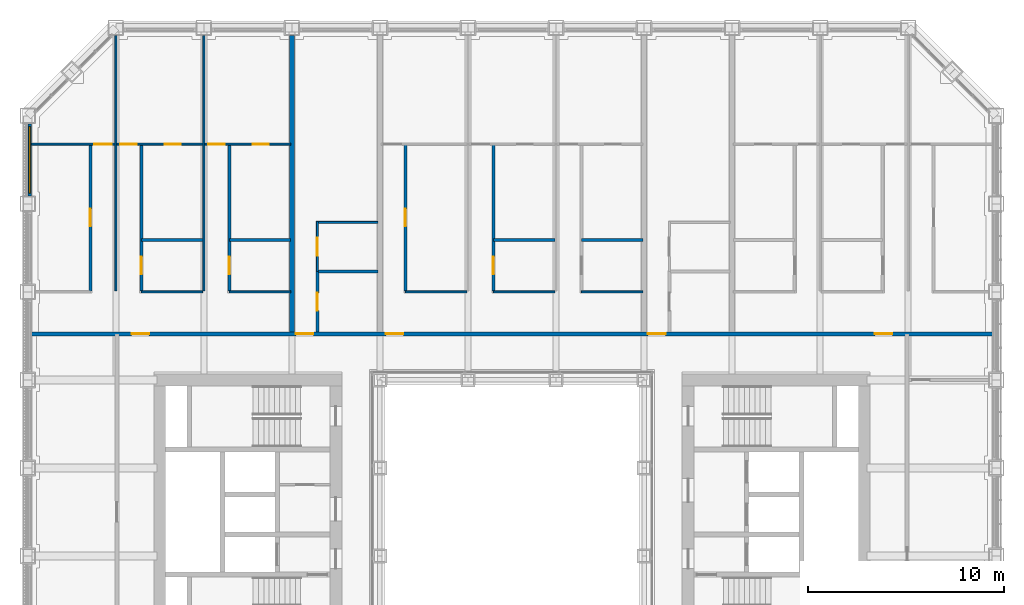
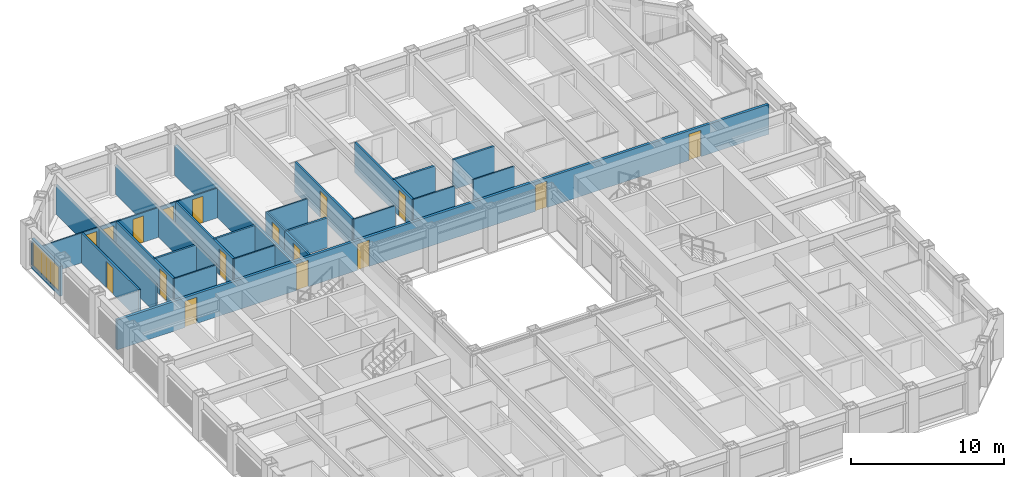
# One storey, part 13 of 20: 26 walls, 17 doors, 1 window, 18 openings.
"""IFC4 building model written with IfcOpenShell, lengths in metres."""

from ifc_helpers import new_model, si_unit, direction, frame, frame_2d, origin, place, context, subcontext, project, spatial, rectangle, extrude, material, layer, layer_set, type_object, element, fill, save


model = new_model("IFC4")

# Units and contexts
model_context = context("Model", 3, precision=1e-05, world=origin(), true_north=direction((0.0, 1.0)))
body_context = subcontext(model_context, "Body", "Model", "MODEL_VIEW")
ifc_project = project(units=[si_unit("LENGTHUNIT", "METRE"), si_unit("AREAUNIT", "SQUARE_METRE"), si_unit("VOLUMEUNIT", "CUBIC_METRE"), si_unit("PLANEANGLEUNIT", "RADIAN"), si_unit("MASSUNIT", "GRAM", prefix="KILO")], contexts=[model_context])

# Site, building, storey
site_placement = place(None, origin())
site = spatial("IfcSite", under=ifc_project, at=site_placement, CompositionType="ELEMENT")
building_placement = place(site_placement, origin())
building = spatial("IfcBuilding", under=site, at=building_placement, Name="Msasa Ring Tower", CompositionType="ELEMENT")
storey_placement = place(building_placement, frame((0.0, 0.0, 65.0)))
storey = spatial("IfcBuildingStorey", under=building, at=storey_placement, Name="L16", CompositionType="ELEMENT", Elevation=65.0)

# Wall, opening, window
ifc_material_1 = material(Name="Terracotta rainscreen on blockwork", Category="masonry")
ifc_layer_1 = layer(ifc_material_1, 0.199951171875)
ifc_layer_set_1 = layer_set([ifc_layer_1], Name="FW1 TERRACOTTA-LINED INFILL BAY WALL 200")
wall_type_1 = type_object("IfcWallType", Name="FW1 TERRACOTTA-LINED INFILL BAY WALL 200", PredefinedType="SOLIDWALL", material=ifc_layer_set_1)
wall_1_placement = place(storey_placement, frame((-24.64990234375, 16.155029296875, 0.0), z_axis=(0.0, 0.0, 1.0), x_axis=(0.0, 1.0, 0.0)))
wall_1 = element("IfcWall", 1, at=wall_1_placement, inside=storey, type_object=wall_type_1, Name="Infill bay wall W L16 41", PredefinedType="SOLIDWALL", context=body_context, shape_type="SweptSolid", body=[
    extrude(rectangle(XDim=3.68994140625, YDim=0.199951171875, at=frame_2d((1.844970703125, 0.0))), origin(), (0.0, 0.0, 1.0), 2.37890625),
])
opening_1_placement = place(wall_1_placement, frame((0.14501953125, 0.0, 0.300048828125)))
opening_1 = element("IfcOpeningElement", 2, at=opening_1_placement, cuts=wall_1, Name="Opening WN1", PredefinedType="OPENING", context=body_context, shape_type="SweptSolid", body=[
    extrude(rectangle(XDim=3.39990234375, YDim=1.928955078125, at=frame_2d((1.699951171875, 0.96435546875))), frame((0.0, 0.10986328125, 0.0), z_axis=(0.0, -1.0, 0.0), x_axis=(1.0, 0.0, 0.0)), (0.0, 0.0, 1.0), 0.219970703125),
])
ifc_material_2 = material(Name="Aluminium frame with clear glass", Category="aluminium")
window_type = type_object("IfcWindowType", Name="WN1 RESIDENCE WINDOW 3400x1929", PartitioningType="SINGLE_PANEL", PredefinedType="WINDOW", material=ifc_material_2)
window_placement = place(opening_1_placement, origin())
window = element("IfcWindow", 3, at=window_placement, inside=storey, type_object=window_type, Name="Window W L16 41", OverallHeight=1.928955078125, OverallWidth=3.39990234375, PartitioningType="SINGLE_PANEL", PredefinedType="WINDOW", context=body_context, shape_type="SweptSolid", body=[
    extrude(rectangle(XDim=3.39990234375, YDim=1.928955078125, at=frame_2d((1.699951171875, 0.96435546875))), frame((0.0, 0.030029296875, 0.0), z_axis=(0.0, -1.0, 0.0), x_axis=(1.0, 0.0, 0.0)), (0.0, 0.0, 1.0), 0.06005859375),
])
fill(opening_1, window)

# Wall, openings, doors
ifc_material_3 = material(Name="Concrete blockwork", Category="masonry")
ifc_layer_2 = layer(ifc_material_3, 0.199951171875)
ifc_layer_set_2 = layer_set([ifc_layer_2], Name="PT1 CORRIDOR WALL 200")
wall_type_2 = type_object("IfcWallType", Name="PT1 CORRIDOR WALL 200", PredefinedType="PARTITIONING", material=ifc_layer_set_2)
wall_2_placement = place(storey_placement, frame((-24.550048828125, 9.10009765625, 0.0), z_axis=(0.0, 0.0, 1.0), x_axis=(1.0, 0.0, 0.0)))
wall_2 = element("IfcWall", 4, at=wall_2_placement, inside=storey, type_object=wall_type_2, Name="Corridor wall L16-CORRN0", PredefinedType="PARTITIONING", context=body_context, shape_type="SweptSolid", body=[
    extrude(rectangle(XDim=49.10009765625, YDim=0.199951171875, at=frame_2d((24.550048828125, 0.0))), origin(), (0.0, 0.0, 1.0), 2.373291015625),
])
opening_2_placement = place(wall_2_placement, frame((5.10009765625, 0.0, 0.0)))
opening_2 = element("IfcOpeningElement", 5, at=opening_2_placement, cuts=wall_2, Name="Opening RD-029", PredefinedType="OPENING", context=body_context, shape_type="SweptSolid", body=[
    extrude(rectangle(XDim=0.89990234375, YDim=2.10009765625, at=frame_2d((0.449951171875, 1.050048828125))), frame((0.0, 0.10986328125, 0.0), z_axis=(0.0, -1.0, 0.0), x_axis=(1.0, 0.0, 0.0)), (0.0, 0.0, 1.0), 0.219970703125),
])
opening_3_placement = place(wall_2_placement, frame((13.5, 0.0, 0.0)))
opening_3 = element("IfcOpeningElement", 6, at=opening_3_placement, cuts=wall_2, Name="Opening RD-030", PredefinedType="OPENING", context=body_context, shape_type="SweptSolid", body=[
    extrude(rectangle(XDim=0.89990234375, YDim=2.10009765625, at=frame_2d((0.449951171875, 1.050048828125))), frame((0.0, 0.10986328125, 0.0), z_axis=(0.0, -1.0, 0.0), x_axis=(1.0, 0.0, 0.0)), (0.0, 0.0, 1.0), 0.219970703125),
])
opening_4_placement = place(wall_2_placement, frame((18.10009765625, 0.0, 0.0)))
opening_4 = element("IfcOpeningElement", 7, at=opening_4_placement, cuts=wall_2, Name="Opening RD-031", PredefinedType="OPENING", context=body_context, shape_type="SweptSolid", body=[
    extrude(rectangle(XDim=0.89990234375, YDim=2.10009765625, at=frame_2d((0.449951171875, 1.050048828125))), frame((0.0, 0.10986328125, 0.0), z_axis=(0.0, -1.0, 0.0), x_axis=(1.0, 0.0, 0.0)), (0.0, 0.0, 1.0), 0.219970703125),
])
opening_5_placement = place(wall_2_placement, frame((31.5, 0.0, 0.0)))
opening_5 = element("IfcOpeningElement", 8, at=opening_5_placement, cuts=wall_2, Name="Opening RD-032", PredefinedType="OPENING", context=body_context, shape_type="SweptSolid", body=[
    extrude(rectangle(XDim=0.89990234375, YDim=2.10009765625, at=frame_2d((0.449951171875, 1.050048828125))), frame((0.0, 0.10986328125, 0.0), z_axis=(0.0, -1.0, 0.0), x_axis=(1.0, 0.0, 0.0)), (0.0, 0.0, 1.0), 0.219970703125),
])
opening_6_placement = place(wall_2_placement, frame((43.10009765625, 0.0, 0.0)))
opening_6 = element("IfcOpeningElement", 9, at=opening_6_placement, cuts=wall_2, Name="Opening RD-033", PredefinedType="OPENING", context=body_context, shape_type="SweptSolid", body=[
    extrude(rectangle(XDim=0.89990234375, YDim=2.10009765625, at=frame_2d((0.449951171875, 1.050048828125))), frame((0.0, 0.10986328125, 0.0), z_axis=(0.0, -1.0, 0.0), x_axis=(1.0, 0.0, 0.0)), (0.0, 0.0, 1.0), 0.219970703125),
])
ifc_material_4 = material(Name="Timber door leaf in a steel frame", Category="steel")
door_type_1 = type_object("IfcDoorType", Name="D2 ENTRANCE DOOR 900x2100", OperationType="SINGLE_SWING_LEFT", PredefinedType="DOOR", material=ifc_material_4)
door_1_placement = place(opening_2_placement, origin())
door_1 = element("IfcDoor", 10, at=door_1_placement, inside=storey, type_object=door_type_1, Name="Door L16-UN00", OperationType="SINGLE_SWING_LEFT", OverallHeight=2.10009765625, OverallWidth=0.89990234375, PredefinedType="DOOR", context=body_context, shape_type="SweptSolid", body=[
    extrude(rectangle(XDim=0.89990234375, YDim=2.10009765625, at=frame_2d((0.449951171875, 1.050048828125))), frame((0.0, 0.02490234375, 0.0), z_axis=(0.0, -1.0, 0.0), x_axis=(1.0, 0.0, 0.0)), (0.0, 0.0, 1.0), 0.050048828125),
])
fill(opening_2, door_1)
door_2_placement = place(opening_3_placement, origin())
door_2 = element("IfcDoor", 11, at=door_2_placement, inside=storey, type_object=door_type_1, Name="Door L16-UN01", OperationType="SINGLE_SWING_LEFT", OverallHeight=2.10009765625, OverallWidth=0.89990234375, PredefinedType="DOOR", context=body_context, shape_type="SweptSolid", body=[
    extrude(rectangle(XDim=0.89990234375, YDim=2.10009765625, at=frame_2d((0.449951171875, 1.050048828125))), frame((0.0, 0.02490234375, 0.0), z_axis=(0.0, -1.0, 0.0), x_axis=(1.0, 0.0, 0.0)), (0.0, 0.0, 1.0), 0.050048828125),
])
fill(opening_3, door_2)
door_3_placement = place(opening_4_placement, origin())
door_3 = element("IfcDoor", 12, at=door_3_placement, inside=storey, type_object=door_type_1, Name="Door L16-UN02", OperationType="SINGLE_SWING_LEFT", OverallHeight=2.10009765625, OverallWidth=0.89990234375, PredefinedType="DOOR", context=body_context, shape_type="SweptSolid", body=[
    extrude(rectangle(XDim=0.89990234375, YDim=2.10009765625, at=frame_2d((0.449951171875, 1.050048828125))), frame((0.0, 0.02490234375, 0.0), z_axis=(0.0, -1.0, 0.0), x_axis=(1.0, 0.0, 0.0)), (0.0, 0.0, 1.0), 0.050048828125),
])
fill(opening_4, door_3)
door_4_placement = place(opening_5_placement, origin())
door_4 = element("IfcDoor", 13, at=door_4_placement, inside=storey, type_object=door_type_1, Name="Door L16-UN03", OperationType="SINGLE_SWING_RIGHT", OverallHeight=2.10009765625, OverallWidth=0.89990234375, PredefinedType="DOOR", context=body_context, shape_type="SweptSolid", body=[
    extrude(rectangle(XDim=0.89990234375, YDim=2.10009765625, at=frame_2d((0.449951171875, 1.050048828125))), frame((0.0, 0.02490234375, 0.0), z_axis=(0.0, -1.0, 0.0), x_axis=(1.0, 0.0, 0.0)), (0.0, 0.0, 1.0), 0.050048828125),
])
fill(opening_5, door_4)
door_5_placement = place(opening_6_placement, origin())
door_5 = element("IfcDoor", 14, at=door_5_placement, inside=storey, type_object=door_type_1, Name="Door L16-UN04", OperationType="SINGLE_SWING_RIGHT", OverallHeight=2.10009765625, OverallWidth=0.89990234375, PredefinedType="DOOR", context=body_context, shape_type="SweptSolid", body=[
    extrude(rectangle(XDim=0.89990234375, YDim=2.10009765625, at=frame_2d((0.449951171875, 1.050048828125))), frame((0.0, 0.02490234375, 0.0), z_axis=(0.0, -1.0, 0.0), x_axis=(1.0, 0.0, 0.0)), (0.0, 0.0, 1.0), 0.050048828125),
])
fill(opening_6, door_5)

# Wall, opening, door
ifc_material_5 = material(Name="Gypsum board on steel studs", Category="steel")
ifc_layer_3 = layer(ifc_material_5, 0.10009765625)
ifc_layer_set_3 = layer_set([ifc_layer_3], Name="PT2 STUD PARTITION 100")
wall_type_3 = type_object("IfcWallType", Name="PT2 STUD PARTITION 100", PredefinedType="PARTITIONING", material=ifc_layer_set_3)
wall_3_placement = place(storey_placement, frame((-24.550048828125, 18.800048828125, 0.0), z_axis=(0.0, 0.0, 1.0), x_axis=(1.0, 0.0, 0.0)))
wall_3 = element("IfcWall", 15, at=wall_3_placement, inside=storey, type_object=wall_type_3, Name="Partition L16-UN00SY0", PredefinedType="PARTITIONING", context=body_context, shape_type="SweptSolid", body=[
    extrude(rectangle(XDim=4.25, YDim=0.10009765625, at=frame_2d((2.125, 0.0))), origin(), (0.0, 0.0, 1.0), 2.373291015625),
])
opening_7_placement = place(wall_3_placement, frame((3.199951171875, 0.0, 0.0)))
opening_7 = element("IfcOpeningElement", 16, at=opening_7_placement, cuts=wall_3, Name="Opening RD-001", PredefinedType="OPENING", context=body_context, shape_type="SweptSolid", body=[
    extrude(rectangle(XDim=0.89990234375, YDim=2.10009765625, at=frame_2d((0.449951171875, 1.050048828125))), frame((0.0, 0.06005859375, 0.0), z_axis=(0.0, -1.0, 0.0), x_axis=(1.0, 0.0, 0.0)), (0.0, 0.0, 1.0), 0.1201171875),
])
ifc_material_6 = material(Name="Timber door leaf in a steel frame", Category="steel")
door_type_2 = type_object("IfcDoorType", Name="D22 INTERNAL HALL DOOR 900x2100", OperationType="SINGLE_SWING_LEFT", PredefinedType="DOOR", material=ifc_material_6)
door_6_placement = place(opening_7_placement, origin())
door_6 = element("IfcDoor", 17, at=door_6_placement, inside=storey, type_object=door_type_2, Name="Door L16-UN00L", OperationType="SINGLE_SWING_RIGHT", OverallHeight=2.10009765625, OverallWidth=0.89990234375, PredefinedType="DOOR", context=body_context, shape_type="SweptSolid", body=[
    extrude(rectangle(XDim=0.89990234375, YDim=2.10009765625, at=frame_2d((0.449951171875, 1.050048828125))), frame((0.0, 0.02490234375, 0.0), z_axis=(0.0, -1.0, 0.0), x_axis=(1.0, 0.0, 0.0)), (0.0, 0.0, 1.0), 0.050048828125),
])
fill(opening_7, door_6)

# Walls
wall_4_placement = place(storey_placement, frame((-20.25, 11.300048828125, 0.0), z_axis=(0.0, 0.0, 1.0), x_axis=(0.0, 1.0, 0.0)))
element("IfcWall", 18, at=wall_4_placement, inside=storey, type_object=wall_type_3, Name="Partition L16-UN00P1", PredefinedType="PARTITIONING", context=body_context, shape_type="SweptSolid", body=[
    extrude(rectangle(XDim=13.050048828125, YDim=0.10009765625, at=frame_2d((6.52490234375, 0.0))), origin(), (0.0, 0.0, 1.0), 2.373291015625),
])
wall_5_placement = place(storey_placement, frame((-18.949951171875, 11.25, 0.0), z_axis=(0.0, 0.0, 1.0), x_axis=(1.0, 0.0, 0.0)))
element("IfcWall", 19, at=wall_5_placement, inside=storey, type_object=wall_type_3, Name="Partition L16-UN00HY1", PredefinedType="PARTITIONING", context=body_context, shape_type="SweptSolid", body=[
    extrude(rectangle(XDim=3.139892578125, YDim=0.10009765625, at=frame_2d((1.56982421875, 0.0))), origin(), (0.0, 0.0, 1.0), 2.373291015625),
])

# Wall, openings, doors
wall_6_placement = place(storey_placement, frame((-20.199951171875, 18.800048828125, 0.0), z_axis=(0.0, 0.0, 1.0), x_axis=(1.0, 0.0, 0.0)))
wall_6 = element("IfcWall", 20, at=wall_6_placement, inside=storey, type_object=wall_type_3, Name="Partition L16-UN00SY1", PredefinedType="PARTITIONING", context=body_context, shape_type="SweptSolid", body=[
    extrude(rectangle(XDim=4.39990234375, YDim=0.10009765625, at=frame_2d((2.199951171875, 0.0))), origin(), (0.0, 0.0, 1.0), 2.373291015625),
])
opening_8_placement = place(wall_6_placement, frame((0.175048828125, 0.0, 0.0)))
opening_8 = element("IfcOpeningElement", 21, at=opening_8_placement, cuts=wall_6, Name="Opening RD-002", PredefinedType="OPENING", context=body_context, shape_type="SweptSolid", body=[
    extrude(rectangle(XDim=0.85009765625, YDim=2.10009765625, at=frame_2d((0.425048828125, 1.050048828125))), frame((0.0, 0.06005859375, 0.0), z_axis=(0.0, -1.0, 0.0), x_axis=(1.0, 0.0, 0.0)), (0.0, 0.0, 1.0), 0.1201171875),
])
opening_9_placement = place(wall_6_placement, frame((2.4599609375, 0.0, 0.0)))
opening_9 = element("IfcOpeningElement", 22, at=opening_9_placement, cuts=wall_6, Name="Opening RD-003", PredefinedType="OPENING", context=body_context, shape_type="SweptSolid", body=[
    extrude(rectangle(XDim=0.800048828125, YDim=2.10009765625, at=frame_2d((0.39990234375, 1.050048828125))), frame((0.0, 0.06005859375, 0.0), z_axis=(0.0, -1.0, 0.0), x_axis=(1.0, 0.0, 0.0)), (0.0, 0.0, 1.0), 0.1201171875),
])
ifc_material_7 = material(Name="Timber door leaf in a steel frame", Category="steel")
door_type_3 = type_object("IfcDoorType", Name="D14 BEDROOM DOOR 850x2100", OperationType="SINGLE_SWING_LEFT", PredefinedType="DOOR", material=ifc_material_7)
door_7_placement = place(opening_8_placement, origin())
door_7 = element("IfcDoor", 23, at=door_7_placement, inside=storey, type_object=door_type_3, Name="Door L16-UN00R1", OperationType="SINGLE_SWING_LEFT", OverallHeight=2.10009765625, OverallWidth=0.85009765625, PredefinedType="DOOR", context=body_context, shape_type="SweptSolid", body=[
    extrude(rectangle(XDim=0.85009765625, YDim=2.10009765625, at=frame_2d((0.425048828125, 1.050048828125))), frame((0.0, 0.02490234375, 0.0), z_axis=(0.0, -1.0, 0.0), x_axis=(1.0, 0.0, 0.0)), (0.0, 0.0, 1.0), 0.050048828125),
])
fill(opening_8, door_7)
ifc_material_8 = material(Name="Timber door leaf in a steel frame", Category="steel")
door_type_4 = type_object("IfcDoorType", Name="D60 DRESSING ROOM DOOR 800x2100", OperationType="SINGLE_SWING_LEFT", PredefinedType="DOOR", material=ifc_material_8)
door_8_placement = place(opening_9_placement, origin())
door_8 = element("IfcDoor", 24, at=door_8_placement, inside=storey, type_object=door_type_4, Name="Door L16-UN00W1", OperationType="SINGLE_SWING_RIGHT", OverallHeight=2.10009765625, OverallWidth=0.800048828125, PredefinedType="DOOR", context=body_context, shape_type="SweptSolid", body=[
    extrude(rectangle(XDim=0.800048828125, YDim=2.10009765625, at=frame_2d((0.39990234375, 1.050048828125))), frame((0.0, 0.02490234375, 0.0), z_axis=(0.0, -1.0, 0.0), x_axis=(1.0, 0.0, 0.0)), (0.0, 0.0, 1.0), 0.050048828125),
])
fill(opening_9, door_8)

# Walls
wall_7_placement = place(storey_placement, frame((-15.75, 11.300048828125, 0.0), z_axis=(0.0, 0.0, 1.0), x_axis=(0.0, 1.0, 0.0)))
element("IfcWall", 25, at=wall_7_placement, inside=storey, type_object=wall_type_3, Name="Partition L16-UN00P2", PredefinedType="PARTITIONING", context=body_context, shape_type="SweptSolid", body=[
    extrude(rectangle(XDim=13.050048828125, YDim=0.10009765625, at=frame_2d((6.52490234375, 0.0))), origin(), (0.0, 0.0, 1.0), 2.373291015625),
])
wall_8_placement = place(storey_placement, frame((-14.449951171875, 11.25, 0.0), z_axis=(0.0, 0.0, 1.0), x_axis=(1.0, 0.0, 0.0)))
element("IfcWall", 26, at=wall_8_placement, inside=storey, type_object=wall_type_3, Name="Partition L16-UN00HY2", PredefinedType="PARTITIONING", context=body_context, shape_type="SweptSolid", body=[
    extrude(rectangle(XDim=3.139892578125, YDim=0.10009765625, at=frame_2d((1.56982421875, 0.0))), origin(), (0.0, 0.0, 1.0), 2.373291015625),
])

# Wall, openings, doors
wall_9_placement = place(storey_placement, frame((-15.699951171875, 18.800048828125, 0.0), z_axis=(0.0, 0.0, 1.0), x_axis=(1.0, 0.0, 0.0)))
wall_9 = element("IfcWall", 27, at=wall_9_placement, inside=storey, type_object=wall_type_3, Name="Partition L16-UN00SY2", PredefinedType="PARTITIONING", context=body_context, shape_type="SweptSolid", body=[
    extrude(rectangle(XDim=4.389892578125, YDim=0.10009765625, at=frame_2d((2.19482421875, 0.0))), origin(), (0.0, 0.0, 1.0), 2.373291015625),
])
opening_10_placement = place(wall_9_placement, frame((0.175048828125, 0.0, 0.0)))
opening_10 = element("IfcOpeningElement", 28, at=opening_10_placement, cuts=wall_9, Name="Opening RD-004", PredefinedType="OPENING", context=body_context, shape_type="SweptSolid", body=[
    extrude(rectangle(XDim=0.85009765625, YDim=2.10009765625, at=frame_2d((0.425048828125, 1.050048828125))), frame((0.0, 0.06005859375, 0.0), z_axis=(0.0, -1.0, 0.0), x_axis=(1.0, 0.0, 0.0)), (0.0, 0.0, 1.0), 0.1201171875),
])
opening_11_placement = place(wall_9_placement, frame((2.4599609375, 0.0, 0.0)))
opening_11 = element("IfcOpeningElement", 29, at=opening_11_placement, cuts=wall_9, Name="Opening RD-005", PredefinedType="OPENING", context=body_context, shape_type="SweptSolid", body=[
    extrude(rectangle(XDim=0.800048828125, YDim=2.10009765625, at=frame_2d((0.39990234375, 1.050048828125))), frame((0.0, 0.06005859375, 0.0), z_axis=(0.0, -1.0, 0.0), x_axis=(1.0, 0.0, 0.0)), (0.0, 0.0, 1.0), 0.1201171875),
])
door_9_placement = place(opening_10_placement, origin())
door_9 = element("IfcDoor", 30, at=door_9_placement, inside=storey, type_object=door_type_3, Name="Door L16-UN00R2", OperationType="SINGLE_SWING_LEFT", OverallHeight=2.10009765625, OverallWidth=0.85009765625, PredefinedType="DOOR", context=body_context, shape_type="SweptSolid", body=[
    extrude(rectangle(XDim=0.85009765625, YDim=2.10009765625, at=frame_2d((0.425048828125, 1.050048828125))), frame((0.0, 0.02490234375, 0.0), z_axis=(0.0, -1.0, 0.0), x_axis=(1.0, 0.0, 0.0)), (0.0, 0.0, 1.0), 0.050048828125),
])
fill(opening_10, door_9)
door_10_placement = place(opening_11_placement, origin())
door_10 = element("IfcDoor", 31, at=door_10_placement, inside=storey, type_object=door_type_4, Name="Door L16-UN00W2", OperationType="SINGLE_SWING_RIGHT", OverallHeight=2.10009765625, OverallWidth=0.800048828125, PredefinedType="DOOR", context=body_context, shape_type="SweptSolid", body=[
    extrude(rectangle(XDim=0.800048828125, YDim=2.10009765625, at=frame_2d((0.39990234375, 1.050048828125))), frame((0.0, 0.02490234375, 0.0), z_axis=(0.0, -1.0, 0.0), x_axis=(1.0, 0.0, 0.0)), (0.0, 0.0, 1.0), 0.050048828125),
])
fill(opening_11, door_10)

# Wall
wall_10_placement = place(storey_placement, frame((-9.89990234375, 14.800048828125, 0.0), z_axis=(0.0, 0.0, 1.0), x_axis=(1.0, 0.0, 0.0)))
element("IfcWall", 32, at=wall_10_placement, inside=storey, type_object=wall_type_3, Name="Partition L16-UN01KY", PredefinedType="PARTITIONING", context=body_context, shape_type="SweptSolid", body=[
    extrude(rectangle(XDim=3.0498046875, YDim=0.10009765625, at=frame_2d((1.52490234375, 0.0))), origin(), (0.0, 0.0, 1.0), 2.373291015625),
])

# Wall, opening, door
wall_11_placement = place(storey_placement, frame((-9.949951171875, 12.300048828125, 0.0), z_axis=(0.0, 0.0, 1.0), x_axis=(0.0, 1.0, 0.0)))
wall_11 = element("IfcWall", 33, at=wall_11_placement, inside=storey, type_object=wall_type_3, Name="Partition L16-UN01KX", PredefinedType="PARTITIONING", context=body_context, shape_type="SweptSolid", body=[
    extrude(rectangle(XDim=2.550048828125, YDim=0.10009765625, at=frame_2d((1.27490234375, 0.0))), origin(), (0.0, 0.0, 1.0), 2.373291015625),
])
opening_12_placement = place(wall_11_placement, frame((0.81005859375, 0.0, 0.0)))
opening_12 = element("IfcOpeningElement", 34, at=opening_12_placement, cuts=wall_11, Name="Opening RD-019", PredefinedType="OPENING", context=body_context, shape_type="SweptSolid", body=[
    extrude(rectangle(XDim=0.89990234375, YDim=2.10009765625, at=frame_2d((0.449951171875, 1.050048828125))), frame((0.0, 0.06005859375, 0.0), z_axis=(0.0, -1.0, 0.0), x_axis=(1.0, 0.0, 0.0)), (0.0, 0.0, 1.0), 0.1201171875),
])
door_11_placement = place(opening_12_placement, origin())
door_11 = element("IfcDoor", 35, at=door_11_placement, inside=storey, type_object=door_type_2, Name="Door L16-UN01K", OperationType="SINGLE_SWING_LEFT", OverallHeight=2.10009765625, OverallWidth=0.89990234375, PredefinedType="DOOR", context=body_context, shape_type="SweptSolid", body=[
    extrude(rectangle(XDim=0.89990234375, YDim=2.10009765625, at=frame_2d((0.449951171875, 1.050048828125))), frame((0.0, 0.02490234375, 0.0), z_axis=(0.0, -1.0, 0.0), x_axis=(1.0, 0.0, 0.0)), (0.0, 0.0, 1.0), 0.050048828125),
])
fill(opening_12, door_11)

# Walls
for number, where, z_axis, x_axis, name in (
    (36, (-5.449951171875, 11.25, 0.0), (0.0, 0.0, 1.0), (1.0, 0.0, 0.0), "Partition L16-UN02HY0"),
    (37, (-0.949951171875, 11.25, 0.0), (0.0, 0.0, 1.0), (1.0, 0.0, 0.0), "Partition L16-UN02HY1"),
    (38, (3.550048828125, 11.25, 0.0), (0.0, 0.0, 1.0), (1.0, 0.0, 0.0), "Partition L16-UN02HY2"),
):
    element("IfcWall", number, at=place(storey_placement, frame(where, z_axis=z_axis, x_axis=x_axis)), inside=storey, type_object=wall_type_3, Name=name, PredefinedType="PARTITIONING", context=body_context, shape_type="SweptSolid", body=[
        extrude(rectangle(XDim=3.139892578125, YDim=0.10009765625, at=frame_2d((1.56982421875, 0.0))), origin(), (0.0, 0.0, 1.0), 2.373291015625),
    ])
ifc_material_9 = material(Name="Dense concrete blockwork, plastered both faces", Category="masonry")
ifc_layer_4 = layer(ifc_material_9, 0.25)
ifc_layer_set_4 = layer_set([ifc_layer_4], Name="PT3 APARTMENT SEPARATING WALL 250")
wall_type_4 = type_object("IfcWallType", Name="PT3 APARTMENT SEPARATING WALL 250", PredefinedType="PARTITIONING", material=ifc_layer_set_4)
wall_12_placement = place(storey_placement, frame((-11.25, 9.199951171875, 0.0), z_axis=(0.0, 0.0, 1.0), x_axis=(0.0, 1.0, 0.0)))
element("IfcWall", 39, at=wall_12_placement, inside=storey, type_object=wall_type_4, Name="Party wall L16-PWN-11.25", PredefinedType="PARTITIONING", context=body_context, shape_type="SweptSolid", body=[
    extrude(rectangle(XDim=15.150146484375, YDim=0.25, at=frame_2d((7.5751953125, 0.0))), origin(), (0.0, 0.0, 1.0), 2.373291015625),
])

# Wall, opening, door
ifc_material_10 = material(Name="Moisture-resistant board on steel studs with a concealed cistern and pipe void, tiled", Category="steel")
ifc_layer_5 = layer(ifc_material_10, 0.14990234375)
ifc_layer_set_5 = layer_set([ifc_layer_5], Name="PT4 BATHROOM WET WALL 150")
wall_type_5 = type_object("IfcWallType", Name="PT4 BATHROOM WET WALL 150", PredefinedType="PARTITIONING", material=ifc_layer_set_5)
wall_13_placement = place(storey_placement, frame((-21.550048828125, 11.300048828125, 0.0), z_axis=(0.0, 0.0, 1.0), x_axis=(0.0, 1.0, 0.0)))
wall_13 = element("IfcWall", 40, at=wall_13_placement, inside=storey, type_object=wall_type_5, Name="Partition L16-UN00SX0", PredefinedType="PARTITIONING", context=body_context, shape_type="SweptSolid", body=[
    extrude(rectangle(XDim=7.5, YDim=0.14990234375, at=frame_2d((3.75, 0.0))), origin(), (0.0, 0.0, 1.0), 2.373291015625),
])
opening_13_placement = place(wall_13_placement, frame((3.300048828125, 0.0, 0.0)))
opening_13 = element("IfcOpeningElement", 41, at=opening_13_placement, cuts=wall_13, Name="Opening RD-016", PredefinedType="OPENING", context=body_context, shape_type="SweptSolid", body=[
    extrude(rectangle(XDim=0.89990234375, YDim=2.10009765625, at=frame_2d((0.449951171875, 1.050048828125))), frame((0.0, 0.0849609375, 0.0), z_axis=(0.0, -1.0, 0.0), x_axis=(1.0, 0.0, 0.0)), (0.0, 0.0, 1.0), 0.169921875),
])
door_12_placement = place(opening_13_placement, origin())
door_12 = element("IfcDoor", 42, at=door_12_placement, inside=storey, type_object=door_type_2, Name="Door L16-UN00K", OperationType="SINGLE_SWING_LEFT", OverallHeight=2.10009765625, OverallWidth=0.89990234375, PredefinedType="DOOR", context=body_context, shape_type="SweptSolid", body=[
    extrude(rectangle(XDim=0.89990234375, YDim=2.10009765625, at=frame_2d((0.449951171875, 1.050048828125))), frame((0.0, 0.02490234375, 0.0), z_axis=(0.0, -1.0, 0.0), x_axis=(1.0, 0.0, 0.0)), (0.0, 0.0, 1.0), 0.050048828125),
])
fill(opening_13, door_12)

wall_14_placement = place(storey_placement, frame((-18.949951171875, 11.300048828125, 0.0), z_axis=(0.0, 0.0, 1.0), x_axis=(0.0, 1.0, 0.0)))
wall_14 = element("IfcWall", 43, at=wall_14_placement, inside=storey, type_object=wall_type_5, Name="Partition L16-UN00SX1", PredefinedType="PARTITIONING", context=body_context, shape_type="SweptSolid", body=[
    extrude(rectangle(XDim=7.5, YDim=0.14990234375, at=frame_2d((3.75, 0.0))), origin(), (0.0, 0.0, 1.0), 2.373291015625),
])
opening_14_placement = place(wall_14_placement, frame((0.85009765625, 0.0, 0.0)))
opening_14 = element("IfcOpeningElement", 44, at=opening_14_placement, cuts=wall_14, Name="Opening RD-021", PredefinedType="OPENING", context=body_context, shape_type="SweptSolid", body=[
    extrude(rectangle(XDim=0.89990234375, YDim=2.10009765625, at=frame_2d((0.449951171875, 1.050048828125))), frame((0.0, 0.0849609375, 0.0), z_axis=(0.0, -1.0, 0.0), x_axis=(1.0, 0.0, 0.0)), (0.0, 0.0, 1.0), 0.169921875),
])
ifc_material_11 = material(Name="Timber door leaf in a steel frame", Category="steel")
door_type_5 = type_object("IfcDoorType", Name="D3 BATHROOM DOOR 900x2100", OperationType="SINGLE_SWING_LEFT", PredefinedType="DOOR", material=ifc_material_11)
door_13_placement = place(opening_14_placement, origin())
door_13 = element("IfcDoor", 45, at=door_13_placement, inside=storey, type_object=door_type_5, Name="Door L16-UN00B1", OperationType="SINGLE_SWING_LEFT", OverallHeight=2.10009765625, OverallWidth=0.89990234375, PredefinedType="DOOR", context=body_context, shape_type="SweptSolid", body=[
    extrude(rectangle(XDim=0.89990234375, YDim=2.10009765625, at=frame_2d((0.449951171875, 1.050048828125))), frame((0.0, 0.02490234375, 0.0), z_axis=(0.0, -1.0, 0.0), x_axis=(1.0, 0.0, 0.0)), (0.0, 0.0, 1.0), 0.050048828125),
])
fill(opening_14, door_13)

# Wall
wall_15_placement = place(storey_placement, frame((-18.949951171875, 13.89990234375, 0.0), z_axis=(0.0, 0.0, 1.0), x_axis=(1.0, 0.0, 0.0)))
element("IfcWall", 46, at=wall_15_placement, inside=storey, type_object=wall_type_5, Name="Partition L16-UN00SB1", PredefinedType="PARTITIONING", context=body_context, shape_type="SweptSolid", body=[
    extrude(rectangle(XDim=3.14990234375, YDim=0.14990234375, at=frame_2d((1.574951171875, 0.0))), origin(), (0.0, 0.0, 1.0), 2.373291015625),
])

# Wall, opening, door
wall_16_placement = place(storey_placement, frame((-14.449951171875, 11.300048828125, 0.0), z_axis=(0.0, 0.0, 1.0), x_axis=(0.0, 1.0, 0.0)))
wall_16 = element("IfcWall", 47, at=wall_16_placement, inside=storey, type_object=wall_type_5, Name="Partition L16-UN00SX2", PredefinedType="PARTITIONING", context=body_context, shape_type="SweptSolid", body=[
    extrude(rectangle(XDim=7.5, YDim=0.14990234375, at=frame_2d((3.75, 0.0))), origin(), (0.0, 0.0, 1.0), 2.373291015625),
])
opening_15_placement = place(wall_16_placement, frame((0.85009765625, 0.0, 0.0)))
opening_15 = element("IfcOpeningElement", 48, at=opening_15_placement, cuts=wall_16, Name="Opening RD-022", PredefinedType="OPENING", context=body_context, shape_type="SweptSolid", body=[
    extrude(rectangle(XDim=0.89990234375, YDim=2.10009765625, at=frame_2d((0.449951171875, 1.050048828125))), frame((0.0, 0.0849609375, 0.0), z_axis=(0.0, -1.0, 0.0), x_axis=(1.0, 0.0, 0.0)), (0.0, 0.0, 1.0), 0.169921875),
])
door_14_placement = place(opening_15_placement, origin())
door_14 = element("IfcDoor", 49, at=door_14_placement, inside=storey, type_object=door_type_5, Name="Door L16-UN00B2", OperationType="SINGLE_SWING_LEFT", OverallHeight=2.10009765625, OverallWidth=0.89990234375, PredefinedType="DOOR", context=body_context, shape_type="SweptSolid", body=[
    extrude(rectangle(XDim=0.89990234375, YDim=2.10009765625, at=frame_2d((0.449951171875, 1.050048828125))), frame((0.0, 0.02490234375, 0.0), z_axis=(0.0, -1.0, 0.0), x_axis=(1.0, 0.0, 0.0)), (0.0, 0.0, 1.0), 0.050048828125),
])
fill(opening_15, door_14)

# Wall
wall_17_placement = place(storey_placement, frame((-14.449951171875, 13.89990234375, 0.0), z_axis=(0.0, 0.0, 1.0), x_axis=(1.0, 0.0, 0.0)))
element("IfcWall", 50, at=wall_17_placement, inside=storey, type_object=wall_type_5, Name="Partition L16-UN00SB2", PredefinedType="PARTITIONING", context=body_context, shape_type="SweptSolid", body=[
    extrude(rectangle(XDim=3.139892578125, YDim=0.14990234375, at=frame_2d((1.56982421875, 0.0))), origin(), (0.0, 0.0, 1.0), 2.373291015625),
])

# Wall, opening, door
wall_18_placement = place(storey_placement, frame((-9.949951171875, 9.199951171875, 0.0), z_axis=(0.0, 0.0, 1.0), x_axis=(0.0, 1.0, 0.0)))
wall_18 = element("IfcWall", 51, at=wall_18_placement, inside=storey, type_object=wall_type_5, Name="Partition L16-UN01BX", PredefinedType="PARTITIONING", context=body_context, shape_type="SweptSolid", body=[
    extrude(rectangle(XDim=3.150146484375, YDim=0.14990234375, at=frame_2d((1.5751953125, 0.0))), origin(), (0.0, 0.0, 1.0), 2.373291015625),
])
opening_16_placement = place(wall_18_placement, frame((1.10009765625, 0.0, 0.0)))
opening_16 = element("IfcOpeningElement", 52, at=opening_16_placement, cuts=wall_18, Name="Opening RD-027", PredefinedType="OPENING", context=body_context, shape_type="SweptSolid", body=[
    extrude(rectangle(XDim=0.89990234375, YDim=2.10009765625, at=frame_2d((0.449951171875, 1.050048828125))), frame((0.0, 0.0849609375, 0.0), z_axis=(0.0, -1.0, 0.0), x_axis=(1.0, 0.0, 0.0)), (0.0, 0.0, 1.0), 0.169921875),
])
door_15_placement = place(opening_16_placement, origin())
door_15 = element("IfcDoor", 53, at=door_15_placement, inside=storey, type_object=door_type_5, Name="Door L16-UN01B", OperationType="SINGLE_SWING_LEFT", OverallHeight=2.10009765625, OverallWidth=0.89990234375, PredefinedType="DOOR", context=body_context, shape_type="SweptSolid", body=[
    extrude(rectangle(XDim=0.89990234375, YDim=2.10009765625, at=frame_2d((0.449951171875, 1.050048828125))), frame((0.0, 0.02490234375, 0.0), z_axis=(0.0, -1.0, 0.0), x_axis=(1.0, 0.0, 0.0)), (0.0, 0.0, 1.0), 0.050048828125),
])
fill(opening_16, door_15)

# Wall
wall_19_placement = place(storey_placement, frame((-9.89990234375, 12.300048828125, 0.0), z_axis=(0.0, 0.0, 1.0), x_axis=(1.0, 0.0, 0.0)))
element("IfcWall", 54, at=wall_19_placement, inside=storey, type_object=wall_type_5, Name="Partition L16-UN01BY", PredefinedType="PARTITIONING", context=body_context, shape_type="SweptSolid", body=[
    extrude(rectangle(XDim=3.0498046875, YDim=0.14990234375, at=frame_2d((1.52490234375, 0.0))), origin(), (0.0, 0.0, 1.0), 2.373291015625),
])

# Wall, opening, door
wall_20_placement = place(storey_placement, frame((-5.449951171875, 11.300048828125, 0.0), z_axis=(0.0, 0.0, 1.0), x_axis=(0.0, 1.0, 0.0)))
wall_20 = element("IfcWall", 55, at=wall_20_placement, inside=storey, type_object=wall_type_5, Name="Partition L16-UN02SX0", PredefinedType="PARTITIONING", context=body_context, shape_type="SweptSolid", body=[
    extrude(rectangle(XDim=7.5, YDim=0.14990234375, at=frame_2d((3.75, 0.0))), origin(), (0.0, 0.0, 1.0), 2.373291015625),
])
opening_17_placement = place(wall_20_placement, frame((3.300048828125, 0.0, 0.0)))
opening_17 = element("IfcOpeningElement", 56, at=opening_17_placement, cuts=wall_20, Name="Opening RD-017", PredefinedType="OPENING", context=body_context, shape_type="SweptSolid", body=[
    extrude(rectangle(XDim=0.89990234375, YDim=2.10009765625, at=frame_2d((0.449951171875, 1.050048828125))), frame((0.0, 0.0849609375, 0.0), z_axis=(0.0, -1.0, 0.0), x_axis=(1.0, 0.0, 0.0)), (0.0, 0.0, 1.0), 0.169921875),
])
door_16_placement = place(opening_17_placement, origin())
door_16 = element("IfcDoor", 57, at=door_16_placement, inside=storey, type_object=door_type_2, Name="Door L16-UN02K", OperationType="SINGLE_SWING_LEFT", OverallHeight=2.10009765625, OverallWidth=0.89990234375, PredefinedType="DOOR", context=body_context, shape_type="SweptSolid", body=[
    extrude(rectangle(XDim=0.89990234375, YDim=2.10009765625, at=frame_2d((0.449951171875, 1.050048828125))), frame((0.0, 0.02490234375, 0.0), z_axis=(0.0, -1.0, 0.0), x_axis=(1.0, 0.0, 0.0)), (0.0, 0.0, 1.0), 0.050048828125),
])
fill(opening_17, door_16)

wall_21_placement = place(storey_placement, frame((-0.949951171875, 11.300048828125, 0.0), z_axis=(0.0, 0.0, 1.0), x_axis=(0.0, 1.0, 0.0)))
wall_21 = element("IfcWall", 58, at=wall_21_placement, inside=storey, type_object=wall_type_5, Name="Partition L16-UN02SX1", PredefinedType="PARTITIONING", context=body_context, shape_type="SweptSolid", body=[
    extrude(rectangle(XDim=7.5, YDim=0.14990234375, at=frame_2d((3.75, 0.0))), origin(), (0.0, 0.0, 1.0), 2.373291015625),
])
opening_18_placement = place(wall_21_placement, frame((0.85009765625, 0.0, 0.0)))
opening_18 = element("IfcOpeningElement", 59, at=opening_18_placement, cuts=wall_21, Name="Opening RD-023", PredefinedType="OPENING", context=body_context, shape_type="SweptSolid", body=[
    extrude(rectangle(XDim=0.89990234375, YDim=2.10009765625, at=frame_2d((0.449951171875, 1.050048828125))), frame((0.0, 0.0849609375, 0.0), z_axis=(0.0, -1.0, 0.0), x_axis=(1.0, 0.0, 0.0)), (0.0, 0.0, 1.0), 0.169921875),
])
door_17_placement = place(opening_18_placement, origin())
door_17 = element("IfcDoor", 60, at=door_17_placement, inside=storey, type_object=door_type_5, Name="Door L16-UN02B1", OperationType="SINGLE_SWING_LEFT", OverallHeight=2.10009765625, OverallWidth=0.89990234375, PredefinedType="DOOR", context=body_context, shape_type="SweptSolid", body=[
    extrude(rectangle(XDim=0.89990234375, YDim=2.10009765625, at=frame_2d((0.449951171875, 1.050048828125))), frame((0.0, 0.02490234375, 0.0), z_axis=(0.0, -1.0, 0.0), x_axis=(1.0, 0.0, 0.0)), (0.0, 0.0, 1.0), 0.050048828125),
])
fill(opening_18, door_17)

# Walls
wall_22_placement = place(storey_placement, frame((-0.949951171875, 13.89990234375, 0.0), z_axis=(0.0, 0.0, 1.0), x_axis=(1.0, 0.0, 0.0)))
element("IfcWall", 61, at=wall_22_placement, inside=storey, type_object=wall_type_5, Name="Partition L16-UN02SB1", PredefinedType="PARTITIONING", context=body_context, shape_type="SweptSolid", body=[
    extrude(rectangle(XDim=3.14990234375, YDim=0.14990234375, at=frame_2d((1.574951171875, 0.0))), origin(), (0.0, 0.0, 1.0), 2.373291015625),
])
wall_23_placement = place(storey_placement, frame((3.550048828125, 13.89990234375, 0.0), z_axis=(0.0, 0.0, 1.0), x_axis=(1.0, 0.0, 0.0)))
element("IfcWall", 62, at=wall_23_placement, inside=storey, type_object=wall_type_5, Name="Partition L16-UN02SB2", PredefinedType="PARTITIONING", context=body_context, shape_type="SweptSolid", body=[
    extrude(rectangle(XDim=3.139892578125, YDim=0.14990234375, at=frame_2d((1.56982421875, 0.0))), origin(), (0.0, 0.0, 1.0), 2.373291015625),
])

save(model, "model.ifc")
